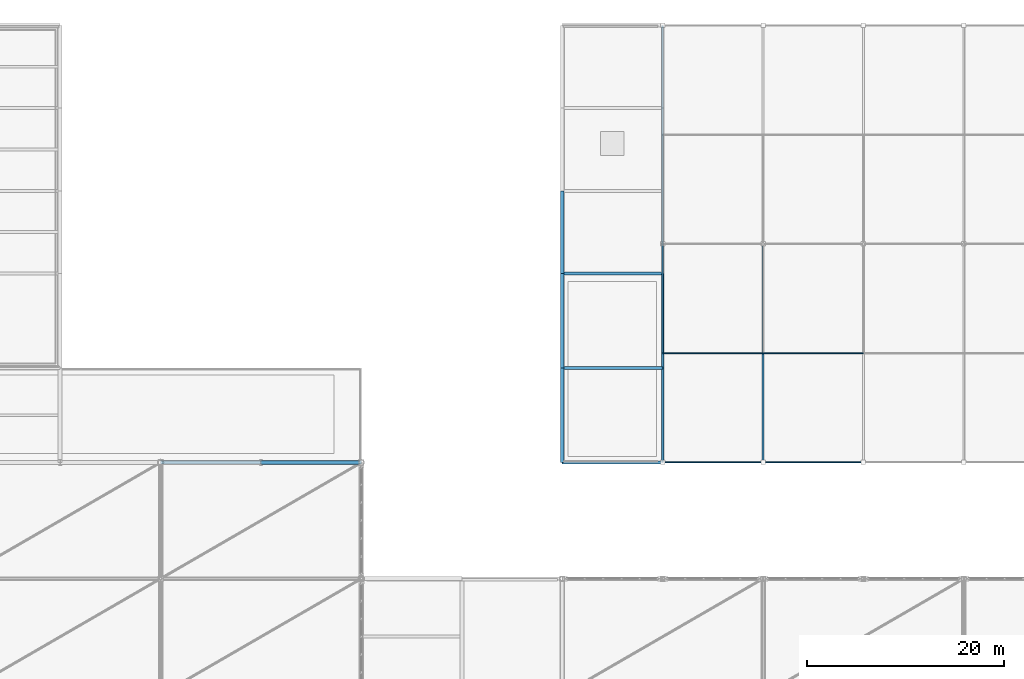
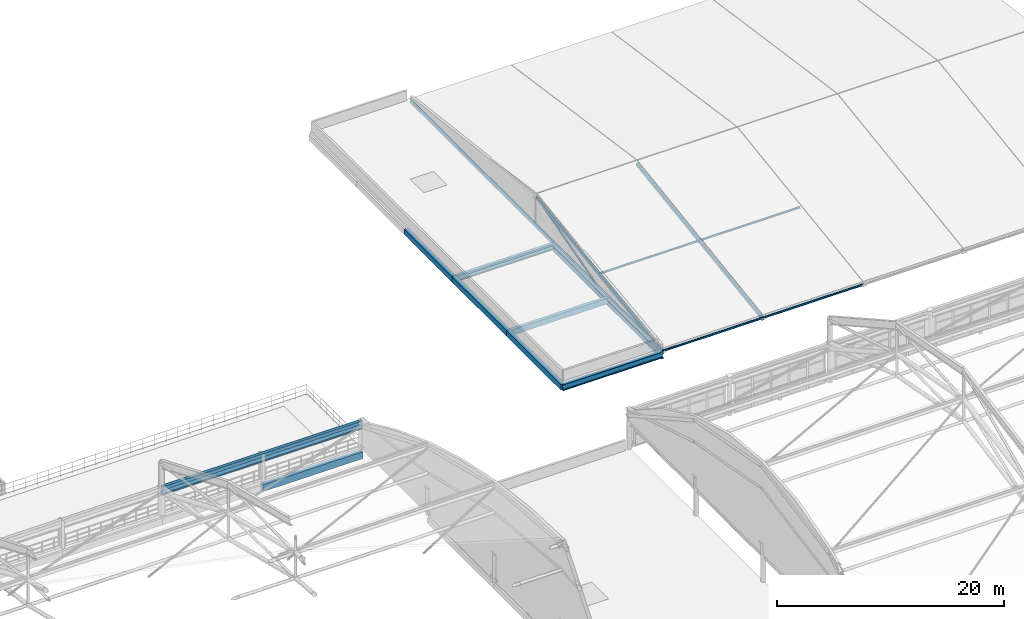
# One storey, part 73 of 135: 10 beams, 9 members.
"""IFC4 building model written with IfcOpenShell, lengths in metres."""

from ifc_helpers import new_model, si_unit, direction, frame, origin, origin_2d, place, context, subcontext, project, spatial, rectangle, hollow_rectangle, hollow_circle, i_section, extrude, material, material_profile, profile_set, type_object, element, save


model = new_model("IFC4")

# Units and contexts
model_context = context("Model", 3, precision=1e-05, world=origin(), true_north=direction((0.0, 1.0)))
body_context = subcontext(model_context, "Body", "Model", "MODEL_VIEW")
ifc_project = project(units=[si_unit("LENGTHUNIT", "METRE"), si_unit("AREAUNIT", "SQUARE_METRE"), si_unit("VOLUMEUNIT", "CUBIC_METRE"), si_unit("PLANEANGLEUNIT", "RADIAN"), si_unit("MASSUNIT", "GRAM", prefix="KILO")], contexts=[model_context])

# Site, building, storey
site_placement = place(None, origin())
site = spatial("IfcSite", under=ifc_project, at=site_placement, CompositionType="ELEMENT")
building_placement = place(site_placement, origin())
building = spatial("IfcBuilding", under=site, at=building_placement, Name="Brelvane Convention Centre", CompositionType="ELEMENT")
storey_placement = place(building_placement, frame((0.0, 0.0, 15.0)))
storey = spatial("IfcBuildingStorey", under=building, at=storey_placement, Name="L03", CompositionType="ELEMENT", Elevation=15.0)

# Beams
ifc_material_1 = material(Name="Concrete M40", Category="concrete")
ifc_material_profile_1 = material_profile(ifc_material_1, rectangle(XDim=0.39990234375, YDim=0.75, at=origin_2d()), Name="RC 400x750")
ifc_profile_set_1 = profile_set([ifc_material_profile_1], Name="Concrete M40")
beam_type_1 = type_object("IfcBeamType", Name="RC Beam B-RC6 (RC 400x750)", PredefinedType="BEAM", material=ifc_profile_set_1)
beam_1_placement = place(storey_placement, frame((132.60009765625, 99.60009765625, -0.68505859375), z_axis=(1.0, 0.0, 0.0), x_axis=(0.0, 1.0, 0.0)))
element("IfcBeam", 1, at=beam_1_placement, inside=storey, type_object=beam_type_1, Name="L03 Beam 14-15/K", PredefinedType="BEAM", context=body_context, shape_type="SweptSolid", body=[
    extrude(rectangle(XDim=0.39990234375, YDim=0.75, at=origin_2d()), origin(), (0.0, 0.0, 1.0), 10.199951171875),
])
ifc_material_2 = material(Name="Concrete M40", Category="concrete")
ifc_material_profile_2 = material_profile(ifc_material_2, rectangle(XDim=0.35009765625, YDim=0.60009765625, at=origin_2d()), Name="RC 350x600")
ifc_profile_set_2 = profile_set([ifc_material_profile_2], Name="Concrete M40")
beam_type_2 = type_object("IfcBeamType", Name="RC Spandrel SP-RC2 (RC 350x600)", PredefinedType="SPANDREL", material=ifc_profile_set_2)
beam_2_placement = place(storey_placement, frame((163.199951171875, 109.199951171875, -0.60009765625), z_axis=(1.0, 0.0, 0.0), x_axis=(0.0, 1.0, 0.0)))
element("IfcBeam", 2, at=beam_2_placement, inside=storey, type_object=beam_type_2, Name="L03 Beam 17-18/L", PredefinedType="SPANDREL", context=body_context, shape_type="SweptSolid", body=[
    extrude(rectangle(XDim=0.35009765625, YDim=0.60009765625, at=origin_2d()), origin(), (0.0, 0.0, 1.0), 10.199951171875),
])
beam_3_placement = place(storey_placement, frame((163.199951171875, 99.60009765625, -0.60009765625), z_axis=(0.0, 1.0, 0.0), x_axis=(-1.0, 0.0, 0.0)))
element("IfcBeam", 3, at=beam_3_placement, inside=storey, type_object=beam_type_2, Name="L03 Girder 17/K-L", PredefinedType="SPANDREL", context=body_context, shape_type="SweptSolid", body=[
    extrude(rectangle(XDim=0.35009765625, YDim=0.60009765625, at=origin_2d()), origin(), (0.0, 0.0, 1.0), 9.599853515625),
])
beam_4_placement = place(storey_placement, frame((163.199951171875, 109.199951171875, -0.60009765625), z_axis=(0.0, 1.0, 0.0), x_axis=(-1.0, 0.0, 0.0)))
element("IfcBeam", 4, at=beam_4_placement, inside=storey, type_object=beam_type_2, Name="L03 Girder 17/L-M", PredefinedType="SPANDREL", context=body_context, shape_type="SweptSolid", body=[
    extrude(rectangle(XDim=0.35009765625, YDim=0.60009765625, at=origin_2d()), origin(), (0.0, 0.0, 1.0), 9.60009765625),
])
beam_5_placement = place(storey_placement, frame((163.199951171875, 118.800048828125, -0.60009765625), z_axis=(0.0, 1.0, 0.0), x_axis=(-1.0, 0.0, 0.0)))
element("IfcBeam", 5, at=beam_5_placement, inside=storey, type_object=beam_type_2, Name="L03 Girder 17/M-N", PredefinedType="SPANDREL", context=body_context, shape_type="SweptSolid", body=[
    extrude(rectangle(XDim=0.35009765625, YDim=0.60009765625, at=origin_2d()), origin(), (0.0, 0.0, 1.0), 8.39990234375),
])
ifc_material_3 = material(Name="Steel E450 (450 MPa)", Category="steel")
ifc_material_profile_3 = material_profile(ifc_material_3, i_section(OverallWidth=0.300048828125, OverallDepth=0.89990234375, WebThickness=0.0166015625, FlangeThickness=0.031982421875, FilletRadius=0.027099609375, at=origin_2d()), Name="NPB 900x300")
ifc_profile_set_3 = profile_set([ifc_material_profile_3], Name="Steel E450 (450 MPa)")
beam_type_3 = type_object("IfcBeamType", Name="Steel Beam B-ST1 (NPB 900x300)", PredefinedType="BEAM", material=ifc_profile_set_3)
beam_6_placement = place(storey_placement, frame((122.39990234375, 99.60009765625, 2.550048828125), z_axis=(1.0, 0.0, 0.0), x_axis=(0.0, 1.0, 0.0)))
element("IfcBeam", 6, at=beam_6_placement, inside=storey, type_object=beam_type_3, Name="SF_EXH Eaves Ring Girder N-7", PredefinedType="BEAM", context=body_context, shape_type="SweptSolid", body=[
    extrude(i_section(OverallWidth=0.300048828125, OverallDepth=0.89990234375, WebThickness=0.0166015625, FlangeThickness=0.031982421875, FilletRadius=0.027099609375, at=origin_2d()), origin(), (0.0, 0.0, 1.0), 20.400146484375),
])
ifc_material_4 = material(Name="Steel E350 (350 MPa)", Category="steel")
ifc_material_profile_4 = material_profile(ifc_material_4, i_section(OverallWidth=0.300048828125, OverallDepth=0.64990234375, WebThickness=0.014404296875, FlangeThickness=0.02587890625, FilletRadius=0.02392578125, at=origin_2d()), Name="NPB 650x300")
ifc_profile_set_4 = profile_set([ifc_material_profile_4], Name="Steel E350 (350 MPa)")
beam_type_4 = type_object("IfcBeamType", Name="Steel Beam B-ST4 (NPB 650x300)", PredefinedType="BEAM", material=ifc_profile_set_4)
for number, where, z_axis, x_axis, name in (
    (7, (163.199951171875, 99.60009765625, -0.625), (1.0, 0.0, 0.0), (0.0, 1.0, 0.0), "L03 Beam 17-18/K"),
    (8, (163.199951171875, 118.800048828125, -0.625), (1.0, 0.0, 0.0), (0.0, 1.0, 0.0), "L03 Beam 17-18/M"),
):
    element("IfcBeam", number, at=place(storey_placement, frame(where, z_axis=z_axis, x_axis=x_axis)), inside=storey, type_object=beam_type_4, Name=name, PredefinedType="BEAM", context=body_context, shape_type="SweptSolid", body=[
        extrude(i_section(OverallWidth=0.300048828125, OverallDepth=0.64990234375, WebThickness=0.014404296875, FlangeThickness=0.02587890625, FilletRadius=0.02392578125, at=origin_2d()), origin(), (0.0, 0.0, 1.0), 10.199951171875),
    ])

# Members
ifc_material_5 = material(Name="Steel E350 (350 MPa)", Category="steel")
ifc_material_profile_5 = material_profile(ifc_material_5, hollow_rectangle(XDim=0.14990234375, YDim=0.14990234375, WallThickness=0.008056640625, InnerFilletRadius=0.008056640625, OuterFilletRadius=0.01611328125, at=origin_2d()), Name="SHS 150x150x8.0")
ifc_profile_set_5 = profile_set([ifc_material_profile_5], Name="Steel E350 (350 MPa)")
member_type_1 = type_object("IfcMemberType", Name="Steel Brace TR-WB1 (SHS 150x150x8.0)", PredefinedType="BRACE", material=ifc_profile_set_5)
member_1_placement = place(storey_placement, frame((173.39990234375, 110.699951171875, -0.35009765625), z_axis=(0.0, 0.96246484853, 0.271406365702), x_axis=(-1.0, 0.0, 0.0)))
element("IfcMember", 9, at=member_1_placement, inside=storey, type_object=member_type_1, Name="Ballroom Roof Truss Web 1-S", PredefinedType="BRACE", context=body_context, shape_type="SweptSolid", body=[
    extrude(hollow_rectangle(XDim=0.14990234375, YDim=0.14990234375, WallThickness=0.008056640625, InnerFilletRadius=0.008056640625, OuterFilletRadius=0.01611328125, at=origin_2d()), origin(), (0.0, 0.0, 1.0), 11.532958984375),
])
ifc_material_6 = material(Name="Steel E450 (450 MPa)", Category="steel")
ifc_material_profile_6 = material_profile(ifc_material_6, hollow_circle(Radius=0.177734375, WallThickness=0.01611328125, at=origin_2d()), Name="CHS 355.6x16.0")
ifc_profile_set_6 = profile_set([ifc_material_profile_6], Name="Steel E450 (450 MPa)")
member_type_2 = type_object("IfcMemberType", Name="Steel Chord SF-TC2 (CHS 355.6x16.0)", PredefinedType="CHORD", material=ifc_profile_set_6)
member_2_placement = place(storey_placement, frame((122.39990234375, 99.60009765625, 2.340087890625), z_axis=(1.0, 0.0, 0.0), x_axis=(0.0, 1.0, 0.0)))
element("IfcMember", 10, at=member_2_placement, inside=storey, type_object=member_type_2, Name="SF_EXH Longitudinal Top Chord LT7.7", PredefinedType="CHORD", context=body_context, shape_type="SweptSolid", body=[
    extrude(hollow_circle(Radius=0.177734375, WallThickness=0.01611328125, at=origin_2d()), origin(), (0.0, 0.0, 1.0), 20.400146484375),
])
ifc_material_7 = material(Name="Steel E350 (350 MPa)", Category="steel")
ifc_material_profile_7 = material_profile(ifc_material_7, hollow_rectangle(XDim=0.199951171875, YDim=0.35009765625, WallThickness=0.012451171875, InnerFilletRadius=0.012451171875, OuterFilletRadius=0.02490234375, at=origin_2d()), Name="RHS 350x200x12.5")
ifc_profile_set_7 = profile_set([ifc_material_profile_7], Name="Steel E350 (350 MPa)")
member_type_3 = type_object("IfcMemberType", Name="Steel Chord TR-CH1 (RHS 350x200x12.5)", PredefinedType="CHORD", material=ifc_profile_set_7)
member_3_placement = place(storey_placement, frame((173.39990234375, 99.60009765625, -0.35009765625), z_axis=(0.0, 1.0, 0.0), x_axis=(-1.0, 0.0, 0.0)))
element("IfcMember", 11, at=member_3_placement, inside=storey, type_object=member_type_3, Name="Ballroom Roof Truss Bottom Chord T1", PredefinedType="CHORD", context=body_context, shape_type="SweptSolid", body=[
    extrude(hollow_rectangle(XDim=0.199951171875, YDim=0.35009765625, WallThickness=0.012451171875, InnerFilletRadius=0.012451171875, OuterFilletRadius=0.02490234375, at=origin_2d()), origin(), (0.0, 0.0, 1.0), 44.39990234375),
])
for number, where, z_axis, x_axis, name in (
    (12, (173.39990234375, 99.60009765625, -0.419921875), (0.0, 0.989770632644, 0.142667777568), (-1.0, 0.0, 0.0), "Ballroom Roof Truss Top Chord T1-S"),
    (13, (183.60009765625, 99.60009765625, -0.419921875), (0.0, 0.989770632644, 0.142667777568), (-1.0, 0.0, 0.0), "Ballroom Roof Truss Top Chord T2-S"),
):
    element("IfcMember", number, at=place(storey_placement, frame(where, z_axis=z_axis, x_axis=x_axis)), inside=storey, type_object=member_type_3, Name=name, PredefinedType="CHORD", context=body_context, shape_type="SweptSolid", body=[
        extrude(hollow_rectangle(XDim=0.199951171875, YDim=0.35009765625, WallThickness=0.012451171875, InnerFilletRadius=0.012451171875, OuterFilletRadius=0.02490234375, at=origin_2d()), origin(), (0.0, 0.0, 1.0), 22.429443359375),
    ])
ifc_material_8 = material(Name="Steel E350 (350 MPa)", Category="steel")
ifc_material_profile_8 = material_profile(ifc_material_8, i_section(OverallWidth=0.10009765625, OverallDepth=0.199951171875, WebThickness=0.005615234375, FlangeThickness=0.0107421875, FilletRadius=0.010986328125, at=origin_2d()), Name="ISMB 200")
ifc_profile_set_8 = profile_set([ifc_material_profile_8], Name="Steel E350 (350 MPa)")
member_type_4 = type_object("IfcMemberType", Name="Steel Purlin PR-ST2 (ISMB 200)", PredefinedType="PURLIN", material=ifc_profile_set_8)
for number, where, z_axis, x_axis, name in (
    (14, (173.39990234375, 99.60009765625, -0.300048828125), (1.0, 0.0, 0.0), (0.0, 1.0, 0.0), "Ballroom Roof Purlin B1-P1"),
    (15, (173.39990234375, 110.699951171875, 1.300048828125), (1.0, 0.0, 0.0), (0.0, 1.0, 0.0), "Ballroom Roof Purlin B1-P2"),
):
    element("IfcMember", number, at=place(storey_placement, frame(where, z_axis=z_axis, x_axis=x_axis)), inside=storey, type_object=member_type_4, Name=name, PredefinedType="PURLIN", context=body_context, shape_type="SweptSolid", body=[
        extrude(i_section(OverallWidth=0.10009765625, OverallDepth=0.199951171875, WebThickness=0.005615234375, FlangeThickness=0.0107421875, FilletRadius=0.010986328125, at=origin_2d()), origin(), (0.0, 0.0, 1.0), 10.2001953125),
    ])
for number, where, z_axis, x_axis, name in (
    (16, (183.60009765625, 99.60009765625, -0.300048828125), (1.0, 0.0, 0.0), (0.0, 1.0, 0.0), "Ballroom Roof Purlin B2-P1"),
    (17, (183.60009765625, 110.699951171875, 1.300048828125), (1.0, 0.0, 0.0), (0.0, 1.0, 0.0), "Ballroom Roof Purlin B2-P2"),
):
    element("IfcMember", number, at=place(storey_placement, frame(where, z_axis=z_axis, x_axis=x_axis)), inside=storey, type_object=member_type_4, Name=name, PredefinedType="PURLIN", context=body_context, shape_type="SweptSolid", body=[
        extrude(i_section(OverallWidth=0.10009765625, OverallDepth=0.199951171875, WebThickness=0.005615234375, FlangeThickness=0.0107421875, FilletRadius=0.010986328125, at=origin_2d()), origin(), (0.0, 0.0, 1.0), 10.199951171875),
    ])

# Beams
ifc_material_9 = material(Name="Steel E350 (350 MPa)", Category="steel")
ifc_material_profile_9 = material_profile(ifc_material_9, i_section(OverallWidth=0.25, OverallDepth=0.5, WebThickness=0.010009765625, FlangeThickness=0.0146484375, FilletRadius=0.01611328125, at=origin_2d()), Name="ISWB 500")
ifc_profile_set_9 = profile_set([ifc_material_profile_9], Name="Steel E350 (350 MPa)")
beam_type_5 = type_object("IfcBeamType", Name="Steel Spandrel SP-ST1 (ISWB 500)", PredefinedType="SPANDREL", material=ifc_profile_set_9)
beam_7_placement = place(storey_placement, frame((173.39990234375, 99.60009765625, -0.89990234375), z_axis=(0.0, 1.0, 0.0), x_axis=(-1.0, 0.0, 0.0)))
element("IfcBeam", 18, at=beam_7_placement, inside=storey, type_object=beam_type_5, Name="Ballroom Gable Tie Girder W-1", PredefinedType="SPANDREL", context=body_context, shape_type="SweptSolid", body=[
    extrude(i_section(OverallWidth=0.25, OverallDepth=0.5, WebThickness=0.010009765625, FlangeThickness=0.0146484375, FilletRadius=0.01611328125, at=origin_2d()), origin(), (0.0, 0.0, 1.0), 9.599853515625),
])
beam_8_placement = place(storey_placement, frame((173.39990234375, 109.199951171875, -0.89990234375), z_axis=(0.0, 1.0, 0.0), x_axis=(-1.0, 0.0, 0.0)))
element("IfcBeam", 19, at=beam_8_placement, inside=storey, type_object=beam_type_5, Name="Ballroom Gable Tie Girder W-2", PredefinedType="SPANDREL", context=body_context, shape_type="SweptSolid", body=[
    extrude(i_section(OverallWidth=0.25, OverallDepth=0.5, WebThickness=0.010009765625, FlangeThickness=0.0146484375, FilletRadius=0.01611328125, at=origin_2d()), origin(), (0.0, 0.0, 1.0), 9.60009765625),
])

save(model, "model.ifc")
